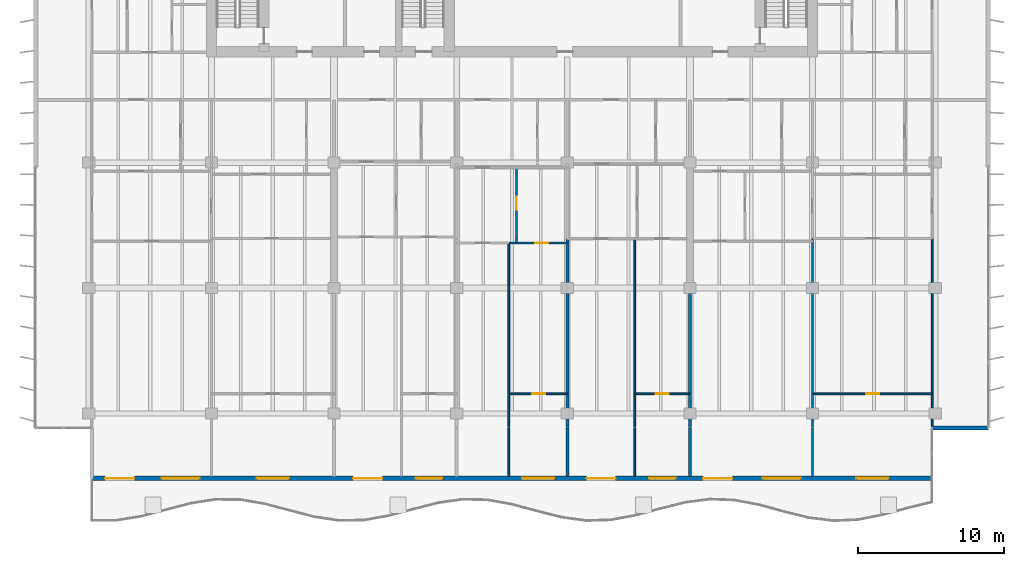
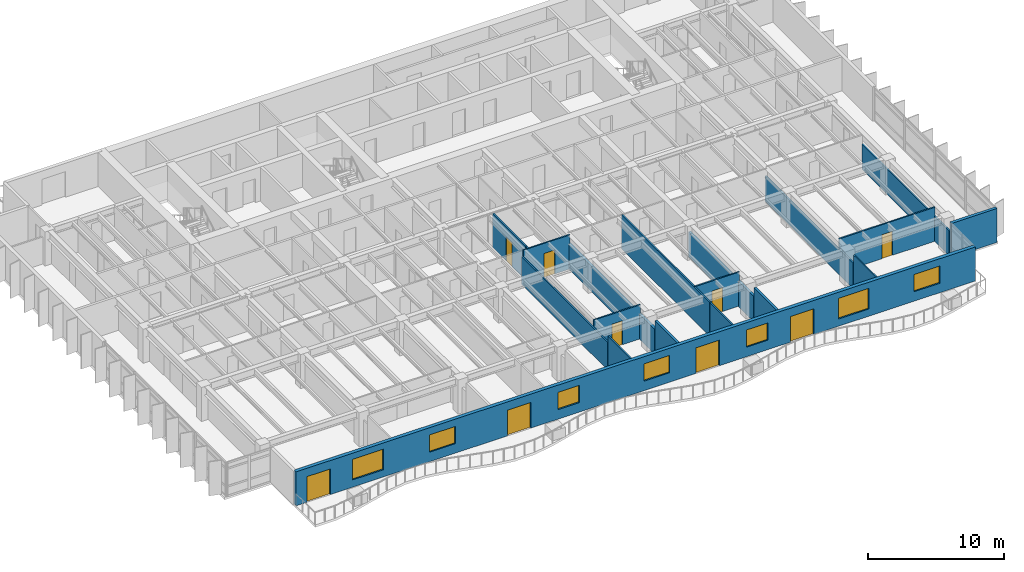
# One storey, part 10 of 19: 19 walls, 9 doors, 7 windows, 16 openings.
"""IFC4 building model written with IfcOpenShell, lengths in metres."""

import ifcopenshell
import ifcopenshell.guid

model = None  # the IFC model being written
_history = None  # IfcOwnerHistory: only IFC2X3 demands one
_inside = {}  # id of a spatial element -> (the spatial element, [elements in it])
_under = {}  # id of a project, library or spatial element -> (it, [spatial elements below it])
_declared = {}  # id of a project -> (the project, [libraries it declares])
_typed = {}  # id of a type object -> (the type object, [elements of that type])
_made_of = {}  # id of a material, layer set ... -> (it, [elements and type objects made of it])


def new_model(schema):
    """Start an empty IFC model of exactly this schema.

    Asked for "IFC4X3", IfcOpenShell would pick the latest addendum, in which some entities
    have other attributes; the version numbers below select the first issue.
    IFC2X3 requires an IfcOwnerHistory on every rooted entity: one is made here for all.
    """
    global model, _history
    if schema == "IFC4X3":
        model = ifcopenshell.file(schema_version=(4, 3, 0, 0))
    else:
        model = ifcopenshell.file(schema=schema)
    _inside.clear()
    _under.clear()
    _declared.clear()
    _typed.clear()
    _made_of.clear()
    _history = None
    if model.schema == "IFC2X3":
        org = make("IfcOrganization", Name="unknown")
        user = make(
            "IfcPersonAndOrganization",
            ThePerson=make("IfcPerson", FamilyName="unknown"),
            TheOrganization=org,
        )
        app = make(
            "IfcApplication",
            ApplicationDeveloper=org,
            Version="unknown",
            ApplicationFullName="unknown",
            ApplicationIdentifier="unknown",
        )
        _history = make(
            "IfcOwnerHistory",
            OwningUser=user,
            OwningApplication=app,
            ChangeAction="ADDED",
            CreationDate=0,
        )
    return model


def make(cls, **values):
    """One entity of the class cls with the attributes given. An attribute that is None is left unset."""
    return model.create_entity(
        cls, **{name: value for name, value in values.items() if value is not None}
    )


def rooted(cls, **values):
    """An entity with a GlobalId (a new one), such as an element, a storey or a relation."""
    return make(cls, GlobalId=ifcopenshell.guid.new(), OwnerHistory=_history, **values)


def si_unit(unit_type, name, prefix=None):
    """IfcSIUnit, for example si_unit("LENGTHUNIT", "METRE", prefix="MILLI")."""
    return make("IfcSIUnit", UnitType=unit_type, Prefix=prefix, Name=name)


def assignment(units):
    """IfcUnitAssignment: the units of a project."""
    return None if units is None else make("IfcUnitAssignment", Units=units)


def point(xyz):
    """IfcCartesianPoint."""
    return None if xyz is None else make("IfcCartesianPoint", Coordinates=xyz)


def direction(xyz):
    """IfcDirection."""
    return None if xyz is None else make("IfcDirection", DirectionRatios=xyz)


def frame(location, z_axis=None, x_axis=None):
    """IfcAxis2Placement3D, a coordinate frame: its origin and axes. An axis left out is left unset."""
    return make(
        "IfcAxis2Placement3D",
        Location=point(location),
        Axis=direction(z_axis),
        RefDirection=direction(x_axis),
    )


def frame_2d(location, x_axis=None):
    """IfcAxis2Placement2D, a coordinate frame in the plane: its origin and x axis."""
    return make(
        "IfcAxis2Placement2D", Location=point(location), RefDirection=direction(x_axis)
    )


def origin():
    """The frame at (0, 0, 0) with its axes left unset."""
    return frame((0.0, 0.0, 0.0))


def place(relative_to, where):
    """IfcLocalPlacement: puts the frame where relative to a parent placement (None: the world)."""
    return make(
        "IfcLocalPlacement", PlacementRelTo=relative_to, RelativePlacement=where
    )


def context(
    kind, dimensions, precision=None, world=None, true_north=None, identifier=None
):
    """IfcGeometricRepresentationContext, for example the 3D "Model" context."""
    return make(
        "IfcGeometricRepresentationContext",
        ContextIdentifier=identifier,
        ContextType=kind,
        CoordinateSpaceDimension=dimensions,
        Precision=precision,
        WorldCoordinateSystem=world,
        TrueNorth=true_north,
    )


def subcontext(parent, identifier, kind, view, scale=None):
    """IfcGeometricRepresentationSubContext, for example "Body" below "Model"."""
    return make(
        "IfcGeometricRepresentationSubContext",
        ContextIdentifier=identifier,
        ContextType=kind,
        ParentContext=parent,
        TargetScale=scale,
        TargetView=view,
    )


def project(units=None, contexts=None):
    """IfcProject with its units and contexts."""
    return rooted(
        "IfcProject",
        Name="project",
        RepresentationContexts=contexts,
        UnitsInContext=assignment(units),
    )


def spatial(cls, under=None, at=None, **own):
    """A site, building, storey or space (cls), placed at a placement, below another one or the project."""
    s = rooted(cls, ObjectPlacement=at, **own)
    if under is not None:
        _under.setdefault(under.id(), (under, []))[1].append(s)
    return s


def profile(cls, at=None, kind="AREA", **sizes):
    """A parametric profile (cls). Its sizes go by their IFC names, for example OverallWidth=200.0."""
    return make(cls, ProfileType=kind, Position=at, **sizes)


def rectangle(**sizes):
    """IfcRectangleProfileDef."""
    return profile("IfcRectangleProfileDef", **sizes)


def extrude(swept, where, along, depth):
    """IfcExtrudedAreaSolid: the profile swept, set in the frame where, extruded along a direction by depth."""
    return make(
        "IfcExtrudedAreaSolid",
        SweptArea=swept,
        Position=where,
        ExtrudedDirection=direction(along),
        Depth=depth,
    )


def shape(context_of_items, identifier, shape_type, items):
    """IfcShapeRepresentation: the items that make up one representation, for example the "Body"."""
    return make(
        "IfcShapeRepresentation",
        ContextOfItems=context_of_items,
        RepresentationIdentifier=identifier,
        RepresentationType=shape_type,
        Items=items,
    )


def material(Name=None, Category=None):
    """IfcMaterial."""
    return make("IfcMaterial", Name=Name, Category=Category)


def layer(
    of_material, thickness, ventilated=None, Name=None, Category=None, Priority=None
):
    """IfcMaterialLayer: one layer of a wall or slab, of a material (None: an air gap)."""
    return make(
        "IfcMaterialLayer",
        Material=of_material,
        LayerThickness=thickness,
        IsVentilated=ventilated,
        Name=Name,
        Category=Category,
        Priority=Priority,
    )


def layer_set(layers, Name=None):
    """IfcMaterialLayerSet."""
    return make("IfcMaterialLayerSet", MaterialLayers=layers, LayerSetName=Name)


def made_of(thing, what):
    """Note that an element or type object is made of a material, layer set ...; save() writes the relation."""
    if what is not None:
        _made_of.setdefault(what.id(), (what, []))[1].append(thing)
    return thing


def type_object(cls, material=None, **own):
    """A type object (cls), such as IfcWallType, which elements share."""
    return made_of(rooted(cls, **own), material)


def element(
    cls,
    number,
    at=None,
    inside=None,
    cuts=None,
    type_object=None,
    material=None,
    context=None,
    identifier="Body",
    shape_type=None,
    held_by="IfcProductDefinitionShape",
    body=None,
    shapes=None,
    **own,
):
    """One element of the class cls, such as IfcWall. Its Tag is "e" and its number.

    at: its placement. inside: the storey or other place that contains it. cuts: it is an
    opening in that element (IfcRelVoidsElement). A single representation is given by context,
    identifier, shape_type and body (its items); several are given by shapes. held_by: the class
    of the entity that holds the representations. save() writes the other relations.
    """
    e = rooted(cls, Tag="e%d" % number, ObjectPlacement=at, **own)
    if body is not None:
        shapes = [shape(context, identifier, shape_type, body)]
    if shapes is not None:
        e.Representation = make(held_by, Representations=shapes)
    if inside is not None:
        _inside.setdefault(inside.id(), (inside, []))[1].append(e)
    if cuts is not None:
        rooted(
            "IfcRelVoidsElement", RelatingBuildingElement=cuts, RelatedOpeningElement=e
        )
    if type_object is not None:
        _typed.setdefault(type_object.id(), (type_object, []))[1].append(e)
    return made_of(e, material)


def fill(opening, filler):
    """IfcRelFillsElement: the door or window that sits in an opening."""
    return rooted(
        "IfcRelFillsElement",
        RelatingOpeningElement=opening,
        RelatedBuildingElement=filler,
    )


def aggregate(whole, parts):
    """IfcRelAggregates: a whole, such as a stair, and the parts it consists of."""
    return rooted("IfcRelAggregates", RelatingObject=whole, RelatedObjects=parts)


def save(model, path):
    """Write the relations noted so far, then the file.

    IfcRelAggregates (storeys below a building ...), IfcRelContainedInSpatialStructure (elements
    in a storey), IfcRelDefinesByType, IfcRelAssociatesMaterial and IfcRelDeclares: one each for
    every whole, place, type object, material and project.
    """
    for whole, parts in _under.values():
        aggregate(whole, parts)
    for where, things in _inside.values():
        rooted(
            "IfcRelContainedInSpatialStructure",
            RelatedElements=things,
            RelatingStructure=where,
        )
    for kind, things in _typed.values():
        rooted("IfcRelDefinesByType", RelatedObjects=things, RelatingType=kind)
    for what, things in _made_of.values():
        rooted("IfcRelAssociatesMaterial", RelatedObjects=things, RelatingMaterial=what)
    for by, libraries in _declared.values():
        rooted("IfcRelDeclares", RelatingContext=by, RelatedDefinitions=libraries)
    model.write(path)


model = new_model("IFC4")

# Units and contexts
model_context = context("Model", 3, precision=1e-05, world=origin(), true_north=direction((0.0, 1.0)))
body_context = subcontext(model_context, "Body", "Model", "MODEL_VIEW")
ifc_project = project(units=[si_unit("LENGTHUNIT", "METRE"), si_unit("AREAUNIT", "SQUARE_METRE"), si_unit("VOLUMEUNIT", "CUBIC_METRE"), si_unit("PLANEANGLEUNIT", "RADIAN"), si_unit("MASSUNIT", "GRAM", prefix="KILO")], contexts=[model_context])

# Site, building, storey
site_placement = place(None, origin())
site = spatial("IfcSite", under=ifc_project, at=site_placement, CompositionType="ELEMENT")
building_placement = place(site_placement, origin())
building = spatial("IfcBuilding", under=site, at=building_placement, Name="Caelmar Bay Residences", CompositionType="ELEMENT")
storey_placement = place(building_placement, frame((0.0, 0.0, 163.800048828125)))
storey = spatial("IfcBuildingStorey", under=building, at=storey_placement, Name="L45", CompositionType="ELEMENT", Elevation=163.800048828125)

# Wall
ifc_material_1 = material(Name="Precast concrete f'c 40 MPa (6,000 psi)", Category="concrete")
ifc_layer_1 = layer(ifc_material_1, 0.25)
ifc_layer_set_1 = layer_set([ifc_layer_1], Name="Precast concrete f'c 40 MPa (6,000 psi)")
wall_type_1 = type_object("IfcWallType", Name="W-EXT-250", PredefinedType="ELEMENTEDWALL", material=ifc_layer_set_1)
wall_1_placement = place(storey_placement, frame((67.699951171875, 11.199951171875, 0.0), z_axis=(0.0, 0.0, 1.0), x_axis=(1.0, 0.0, 0.0)))
element("IfcWall", 1, at=wall_1_placement, inside=storey, type_object=wall_type_1, Name="L45 SE Notch Return Wall", PredefinedType="ELEMENTEDWALL", context=body_context, shape_type="SweptSolid", body=[
    extrude(rectangle(XDim=3.85009765625, YDim=0.25, at=frame_2d((1.925048828125, 0.0))), origin(), (0.0, 0.0, 1.0), 3.050048828125),
])

# Wall, openings, doors, windows
ifc_layer_2 = layer(ifc_material_1, 0.300048828125)
ifc_layer_set_2 = layer_set([ifc_layer_2], Name="Precast concrete f'c 40 MPa (6,000 psi)")
wall_type_2 = type_object("IfcWallType", Name="W-EXT-300", PredefinedType="STANDARD", material=ifc_layer_set_2)
wall_2_placement = place(storey_placement, frame((67.699951171875, 7.75, 0.0), z_axis=(0.0, 0.0, 1.0), x_axis=(-1.0, 0.0, 0.0)))
wall_2 = element("IfcWall", 2, at=wall_2_placement, inside=storey, type_object=wall_type_2, Name="L45 South Bayfront Exterior Wall", PredefinedType="STANDARD", context=body_context, shape_type="SweptSolid", body=[
    extrude(rectangle(XDim=57.599853515625, YDim=0.300048828125, at=frame_2d((28.7998046875, 0.0))), origin(), (0.0, 0.0, 1.0), 3.050048828125),
])
opening_1_placement = place(wall_2_placement, frame((54.68994140625, 0.0, 0.0)))
opening_1 = element("IfcOpeningElement", 3, at=opening_1_placement, cuts=wall_2, Name="Opening L45-BD01", PredefinedType="OPENING", context=body_context, shape_type="SweptSolid", body=[
    extrude(rectangle(XDim=2.0, YDim=2.300048828125, at=frame_2d((1.0, 1.14990234375))), frame((0.0, 0.159912109375, 0.0), z_axis=(0.0, -1.0, 0.0), x_axis=(1.0, 0.0, 0.0)), (0.0, 0.0, 1.0), 0.320068359375),
])
opening_2_placement = place(wall_2_placement, frame((50.2099609375, 0.0, 0.64990234375)))
opening_2 = element("IfcOpeningElement", 4, at=opening_2_placement, cuts=wall_2, Name="Opening WN3", PredefinedType="OPENING", context=body_context, shape_type="SweptSolid", body=[
    extrude(rectangle(XDim=2.60009765625, YDim=1.85009765625, at=frame_2d((1.300048828125, 0.925048828125))), frame((0.0, 0.159912109375, 0.0), z_axis=(0.0, -1.0, 0.0), x_axis=(1.0, 0.0, 0.0)), (0.0, 0.0, 1.0), 0.320068359375),
])
opening_3_placement = place(wall_2_placement, frame((44.10009765625, 0.0, 0.85009765625)))
opening_3 = element("IfcOpeningElement", 5, at=opening_3_placement, cuts=wall_2, Name="Opening WN2", PredefinedType="OPENING", context=body_context, shape_type="SweptSolid", body=[
    extrude(rectangle(XDim=2.199951171875, YDim=1.550048828125, at=frame_2d((1.10009765625, 0.77490234375))), frame((0.0, 0.159912109375, 0.0), z_axis=(0.0, -1.0, 0.0), x_axis=(1.0, 0.0, 0.0)), (0.0, 0.0, 1.0), 0.320068359375),
])
opening_4_placement = place(wall_2_placement, frame((37.68994140625, 0.0, 0.0)))
opening_4 = element("IfcOpeningElement", 6, at=opening_4_placement, cuts=wall_2, Name="Opening L45-BD02", PredefinedType="OPENING", context=body_context, shape_type="SweptSolid", body=[
    extrude(rectangle(XDim=2.0, YDim=2.300048828125, at=frame_2d((1.0, 1.14990234375))), frame((0.0, 0.159912109375, 0.0), z_axis=(0.0, -1.0, 0.0), x_axis=(1.0, 0.0, 0.0)), (0.0, 0.0, 1.0), 0.320068359375),
])
opening_5_placement = place(wall_2_placement, frame((33.590087890625, 0.0, 0.85009765625)))
opening_5 = element("IfcOpeningElement", 7, at=opening_5_placement, cuts=wall_2, Name="Opening WN1", PredefinedType="OPENING", context=body_context, shape_type="SweptSolid", body=[
    extrude(rectangle(XDim=1.800048828125, YDim=1.550048828125, at=frame_2d((0.89990234375, 0.77490234375))), frame((0.0, 0.159912109375, 0.0), z_axis=(0.0, -1.0, 0.0), x_axis=(1.0, 0.0, 0.0)), (0.0, 0.0, 1.0), 0.320068359375),
])
opening_6_placement = place(wall_2_placement, frame((25.9140625, 0.0, 0.85009765625)))
opening_6 = element("IfcOpeningElement", 8, at=opening_6_placement, cuts=wall_2, Name="Opening WN2", PredefinedType="OPENING", context=body_context, shape_type="SweptSolid", body=[
    extrude(rectangle(XDim=2.199951171875, YDim=1.550048828125, at=frame_2d((1.10009765625, 0.77490234375))), frame((0.0, 0.159912109375, 0.0), z_axis=(0.0, -1.0, 0.0), x_axis=(1.0, 0.0, 0.0)), (0.0, 0.0, 1.0), 0.320068359375),
])
opening_7_placement = place(wall_2_placement, frame((21.68994140625, 0.0, 0.0)))
opening_7 = element("IfcOpeningElement", 9, at=opening_7_placement, cuts=wall_2, Name="Opening L45-BD03", PredefinedType="OPENING", context=body_context, shape_type="SweptSolid", body=[
    extrude(rectangle(XDim=2.0, YDim=2.300048828125, at=frame_2d((1.0, 1.14990234375))), frame((0.0, 0.159912109375, 0.0), z_axis=(0.0, -1.0, 0.0), x_axis=(1.0, 0.0, 0.0)), (0.0, 0.0, 1.0), 0.320068359375),
])
opening_8_placement = place(wall_2_placement, frame((17.590087890625, 0.0, 0.85009765625)))
opening_8 = element("IfcOpeningElement", 10, at=opening_8_placement, cuts=wall_2, Name="Opening WN1", PredefinedType="OPENING", context=body_context, shape_type="SweptSolid", body=[
    extrude(rectangle(XDim=1.800048828125, YDim=1.550048828125, at=frame_2d((0.89990234375, 0.77490234375))), frame((0.0, 0.159912109375, 0.0), z_axis=(0.0, -1.0, 0.0), x_axis=(1.0, 0.0, 0.0)), (0.0, 0.0, 1.0), 0.320068359375),
])
opening_9_placement = place(wall_2_placement, frame((13.68994140625, 0.0, 0.0)))
opening_9 = element("IfcOpeningElement", 11, at=opening_9_placement, cuts=wall_2, Name="Opening L45-BD04", PredefinedType="OPENING", context=body_context, shape_type="SweptSolid", body=[
    extrude(rectangle(XDim=2.0, YDim=2.300048828125, at=frame_2d((1.0, 1.14990234375))), frame((0.0, 0.159912109375, 0.0), z_axis=(0.0, -1.0, 0.0), x_axis=(1.0, 0.0, 0.0)), (0.0, 0.0, 1.0), 0.320068359375),
])
opening_10_placement = place(wall_2_placement, frame((9.010009765625, 0.0, 0.64990234375)))
opening_10 = element("IfcOpeningElement", 12, at=opening_10_placement, cuts=wall_2, Name="Opening WN3", PredefinedType="OPENING", context=body_context, shape_type="SweptSolid", body=[
    extrude(rectangle(XDim=2.60009765625, YDim=1.85009765625, at=frame_2d((1.300048828125, 0.925048828125))), frame((0.0, 0.159912109375, 0.0), z_axis=(0.0, -1.0, 0.0), x_axis=(1.0, 0.0, 0.0)), (0.0, 0.0, 1.0), 0.320068359375),
])
opening_11_placement = place(wall_2_placement, frame((3.0, 0.0, 0.85009765625)))
opening_11 = element("IfcOpeningElement", 13, at=opening_11_placement, cuts=wall_2, Name="Opening WN2", PredefinedType="OPENING", context=body_context, shape_type="SweptSolid", body=[
    extrude(rectangle(XDim=2.199951171875, YDim=1.550048828125, at=frame_2d((1.10009765625, 0.77490234375))), frame((0.0, 0.159912109375, 0.0), z_axis=(0.0, -1.0, 0.0), x_axis=(1.0, 0.0, 0.0)), (0.0, 0.0, 1.0), 0.320068359375),
])
ifc_material_2 = material(Name="Anodised bronze thermally broken sliding glass door", Category="glass")
ifc_layer_3 = layer(ifc_material_2, 0.050048828125)
ifc_layer_set_3 = layer_set([ifc_layer_3], Name="Anodised bronze thermally broken sliding glass door")
door_type_1 = type_object("IfcDoorType", Name="D-BAL-2000", OperationType="DOUBLE_DOOR_SLIDING", PredefinedType="DOOR", material=ifc_layer_set_3)
door_1_placement = place(opening_1_placement, origin())
door_1 = element("IfcDoor", 14, at=door_1_placement, inside=storey, type_object=door_type_1, Name="L45 Residence 01 Penthouse Living Salon Balcony Door", OperationType="DOUBLE_DOOR_SLIDING", OverallHeight=2.300048828125, OverallWidth=2.0, PredefinedType="DOOR", context=body_context, shape_type="SweptSolid", body=[
    extrude(rectangle(XDim=2.0, YDim=2.300048828125, at=frame_2d((1.0, 1.14990234375))), frame((0.0, 0.02490234375, 0.0), z_axis=(0.0, -1.0, 0.0), x_axis=(1.0, 0.0, 0.0)), (0.0, 0.0, 1.0), 0.050048828125),
])
fill(opening_1, door_1)
door_2_placement = place(opening_4_placement, origin())
door_2 = element("IfcDoor", 15, at=door_2_placement, inside=storey, type_object=door_type_1, Name="L45 Residence 02 Penthouse Living Salon Balcony Door", OperationType="DOUBLE_DOOR_SLIDING", OverallHeight=2.300048828125, OverallWidth=2.0, PredefinedType="DOOR", context=body_context, shape_type="SweptSolid", body=[
    extrude(rectangle(XDim=2.0, YDim=2.300048828125, at=frame_2d((1.0, 1.14990234375))), frame((0.0, 0.02490234375, 0.0), z_axis=(0.0, -1.0, 0.0), x_axis=(1.0, 0.0, 0.0)), (0.0, 0.0, 1.0), 0.050048828125),
])
fill(opening_4, door_2)
door_3_placement = place(opening_7_placement, origin())
door_3 = element("IfcDoor", 16, at=door_3_placement, inside=storey, type_object=door_type_1, Name="L45 Residence 04 Living Room Balcony Door", OperationType="DOUBLE_DOOR_SLIDING", OverallHeight=2.300048828125, OverallWidth=2.0, PredefinedType="DOOR", context=body_context, shape_type="SweptSolid", body=[
    extrude(rectangle(XDim=2.0, YDim=2.300048828125, at=frame_2d((1.0, 1.14990234375))), frame((0.0, 0.02490234375, 0.0), z_axis=(0.0, -1.0, 0.0), x_axis=(1.0, 0.0, 0.0)), (0.0, 0.0, 1.0), 0.050048828125),
])
fill(opening_7, door_3)
door_4_placement = place(opening_9_placement, origin())
door_4 = element("IfcDoor", 17, at=door_4_placement, inside=storey, type_object=door_type_1, Name="L45 Residence 05 Penthouse Living Salon Balcony Door", OperationType="DOUBLE_DOOR_SLIDING", OverallHeight=2.300048828125, OverallWidth=2.0, PredefinedType="DOOR", context=body_context, shape_type="SweptSolid", body=[
    extrude(rectangle(XDim=2.0, YDim=2.300048828125, at=frame_2d((1.0, 1.14990234375))), frame((0.0, 0.02490234375, 0.0), z_axis=(0.0, -1.0, 0.0), x_axis=(1.0, 0.0, 0.0)), (0.0, 0.0, 1.0), 0.050048828125),
])
fill(opening_9, door_4)
ifc_material_3 = material(Name="Bronze aluminium frame with laminated low-E glass", Category="aluminium")
ifc_layer_4 = layer(ifc_material_3, 0.06005859375)
ifc_layer_set_4 = layer_set([ifc_layer_4], Name="Bronze aluminium frame with laminated low-E glass")
window_type_1 = type_object("IfcWindowType", Name="WIN-BR-1800", PartitioningType="SINGLE_PANEL", PredefinedType="WINDOW", material=ifc_layer_set_4)
window_1_placement = place(opening_5_placement, origin())
window_1 = element("IfcWindow", 18, at=window_1_placement, inside=storey, type_object=window_type_1, Name="L45 Residence 02 Primary Bedroom Window", OverallHeight=1.550048828125, OverallWidth=1.800048828125, PartitioningType="SINGLE_PANEL", PredefinedType="WINDOW", context=body_context, shape_type="SweptSolid", body=[
    extrude(rectangle(XDim=1.800048828125, YDim=1.550048828125, at=frame_2d((0.89990234375, 0.77490234375))), frame((0.0, 0.030029296875, 0.0), z_axis=(0.0, -1.0, 0.0), x_axis=(1.0, 0.0, 0.0)), (0.0, 0.0, 1.0), 0.06005859375),
])
fill(opening_5, window_1)
window_2_placement = place(opening_8_placement, origin())
window_2 = element("IfcWindow", 19, at=window_2_placement, inside=storey, type_object=window_type_1, Name="L45 Residence 04 Primary Bedroom Window", OverallHeight=1.550048828125, OverallWidth=1.800048828125, PartitioningType="SINGLE_PANEL", PredefinedType="WINDOW", context=body_context, shape_type="SweptSolid", body=[
    extrude(rectangle(XDim=1.800048828125, YDim=1.550048828125, at=frame_2d((0.89990234375, 0.77490234375))), frame((0.0, 0.030029296875, 0.0), z_axis=(0.0, -1.0, 0.0), x_axis=(1.0, 0.0, 0.0)), (0.0, 0.0, 1.0), 0.06005859375),
])
fill(opening_8, window_2)
ifc_layer_5 = layer(ifc_material_3, 0.06005859375)
ifc_layer_set_5 = layer_set([ifc_layer_5], Name="Bronze aluminium frame with laminated low-E glass")
window_type_2 = type_object("IfcWindowType", Name="WIN-BR-2200", PartitioningType="SINGLE_PANEL", PredefinedType="WINDOW", material=ifc_layer_set_5)
window_3_placement = place(opening_3_placement, origin())
window_3 = element("IfcWindow", 20, at=window_3_placement, inside=storey, type_object=window_type_2, Name="L45 Residence 01 Primary Bedroom 1 Window", OverallHeight=1.550048828125, OverallWidth=2.199951171875, PartitioningType="SINGLE_PANEL", PredefinedType="WINDOW", context=body_context, shape_type="SweptSolid", body=[
    extrude(rectangle(XDim=2.199951171875, YDim=1.550048828125, at=frame_2d((1.10009765625, 0.77490234375))), frame((0.0, 0.030029296875, 0.0), z_axis=(0.0, -1.0, 0.0), x_axis=(1.0, 0.0, 0.0)), (0.0, 0.0, 1.0), 0.06005859375),
])
fill(opening_3, window_3)
window_4_placement = place(opening_6_placement, origin())
window_4 = element("IfcWindow", 21, at=window_4_placement, inside=storey, type_object=window_type_2, Name="L45 Residence 03 Primary Bedroom Window", OverallHeight=1.550048828125, OverallWidth=2.199951171875, PartitioningType="SINGLE_PANEL", PredefinedType="WINDOW", context=body_context, shape_type="SweptSolid", body=[
    extrude(rectangle(XDim=2.199951171875, YDim=1.550048828125, at=frame_2d((1.10009765625, 0.77490234375))), frame((0.0, 0.030029296875, 0.0), z_axis=(0.0, -1.0, 0.0), x_axis=(1.0, 0.0, 0.0)), (0.0, 0.0, 1.0), 0.06005859375),
])
fill(opening_6, window_4)
window_5_placement = place(opening_11_placement, origin())
window_5 = element("IfcWindow", 22, at=window_5_placement, inside=storey, type_object=window_type_2, Name="L45 Residence 05 Primary Bedroom 1 Window", OverallHeight=1.550048828125, OverallWidth=2.199951171875, PartitioningType="SINGLE_PANEL", PredefinedType="WINDOW", context=body_context, shape_type="SweptSolid", body=[
    extrude(rectangle(XDim=2.199951171875, YDim=1.550048828125, at=frame_2d((1.10009765625, 0.77490234375))), frame((0.0, 0.030029296875, 0.0), z_axis=(0.0, -1.0, 0.0), x_axis=(1.0, 0.0, 0.0)), (0.0, 0.0, 1.0), 0.06005859375),
])
fill(opening_11, window_5)
ifc_layer_6 = layer(ifc_material_3, 0.06005859375)
ifc_layer_set_6 = layer_set([ifc_layer_6], Name="Bronze aluminium frame with laminated low-E glass")
window_type_3 = type_object("IfcWindowType", Name="WIN-LIV-2600", PartitioningType="SINGLE_PANEL", PredefinedType="WINDOW", material=ifc_layer_set_6)
window_6_placement = place(opening_2_placement, origin())
window_6 = element("IfcWindow", 23, at=window_6_placement, inside=storey, type_object=window_type_3, Name="L45 Residence 01 Penthouse Living Salon Panoramic Window", OverallHeight=1.85009765625, OverallWidth=2.60009765625, PartitioningType="SINGLE_PANEL", PredefinedType="WINDOW", context=body_context, shape_type="SweptSolid", body=[
    extrude(rectangle(XDim=2.60009765625, YDim=1.85009765625, at=frame_2d((1.300048828125, 0.925048828125))), frame((0.0, 0.030029296875, 0.0), z_axis=(0.0, -1.0, 0.0), x_axis=(1.0, 0.0, 0.0)), (0.0, 0.0, 1.0), 0.06005859375),
])
fill(opening_2, window_6)
window_7_placement = place(opening_10_placement, origin())
window_7 = element("IfcWindow", 24, at=window_7_placement, inside=storey, type_object=window_type_3, Name="L45 Residence 05 Penthouse Living Salon Panoramic Window", OverallHeight=1.85009765625, OverallWidth=2.60009765625, PartitioningType="SINGLE_PANEL", PredefinedType="WINDOW", context=body_context, shape_type="SweptSolid", body=[
    extrude(rectangle(XDim=2.60009765625, YDim=1.85009765625, at=frame_2d((1.300048828125, 0.925048828125))), frame((0.0, 0.030029296875, 0.0), z_axis=(0.0, -1.0, 0.0), x_axis=(1.0, 0.0, 0.0)), (0.0, 0.0, 1.0), 0.06005859375),
])
fill(opening_10, window_7)

# Walls
ifc_material_4 = material(Name="Acoustic metal-stud gypsum partition 120 mm")
ifc_layer_7 = layer(ifc_material_4, 0.1201171875)
ifc_layer_set_7 = layer_set([ifc_layer_7], Name="Acoustic metal-stud gypsum partition 120 mm")
wall_type_3 = type_object("IfcWallType", Name="W-PRT-120", PredefinedType="PARTITIONING", material=ifc_layer_set_7)
wall_3_placement = place(storey_placement, frame((38.672119140625, 7.89501953125, 0.0), z_axis=(0.0, 0.0, 1.0), x_axis=(0.0, 1.0, 0.0)))
element("IfcWall", 25, at=wall_3_placement, inside=storey, type_object=wall_type_3, Name="L45 Partition Wall V040", PredefinedType="PARTITIONING", context=body_context, shape_type="SweptSolid", body=[
    extrude(rectangle(XDim=3.304931640625, YDim=0.1201171875, at=frame_2d((1.65234375, 0.0))), origin(), (0.0, 0.0, 1.0), 3.050048828125),
])
wall_4_placement = place(storey_placement, frame((38.672119140625, 11.239990234375, 0.0), z_axis=(0.0, 0.0, 1.0), x_axis=(0.0, 1.0, 0.0)))
element("IfcWall", 26, at=wall_4_placement, inside=storey, type_object=wall_type_3, Name="L45 Partition Wall V041", PredefinedType="PARTITIONING", context=body_context, shape_type="SweptSolid", body=[
    extrude(rectangle(XDim=12.64990234375, YDim=0.1201171875, at=frame_2d((6.324951171875, 0.0))), origin(), (0.0, 0.0, 1.0), 2.4990234375),
])
wall_5_placement = place(storey_placement, frame((39.2041015625, 23.889892578125, 0.0), z_axis=(0.0, 0.0, 1.0), x_axis=(0.0, 1.0, 0.0)))
element("IfcWall", 27, at=wall_5_placement, inside=storey, type_object=wall_type_3, Name="L45 Partition Wall V043", PredefinedType="PARTITIONING", context=body_context, shape_type="SweptSolid", body=[
    extrude(rectangle(XDim=0.280029296875, YDim=0.1201171875, at=frame_2d((0.14013671875, 0.0))), origin(), (0.0, 0.0, 1.0), 3.050048828125),
])

# Wall, opening, door
wall_6_placement = place(storey_placement, frame((39.2041015625, 24.199951171875, 0.0), z_axis=(0.0, 0.0, 1.0), x_axis=(0.0, 1.0, 0.0)))
wall_6 = element("IfcWall", 28, at=wall_6_placement, inside=storey, type_object=wall_type_3, Name="L45 Partition Wall V044", PredefinedType="PARTITIONING", context=body_context, shape_type="SweptSolid", body=[
    extrude(rectangle(XDim=4.840087890625, YDim=0.1201171875, at=frame_2d((2.419921875, 0.0))), origin(), (0.0, 0.0, 1.0), 3.050048828125),
])
opening_12_placement = place(wall_6_placement, frame((1.969970703125, 0.0, 0.0)))
opening_12 = element("IfcOpeningElement", 29, at=opening_12_placement, cuts=wall_6, Name="Opening D-L45-141", PredefinedType="OPENING", context=body_context, shape_type="SweptSolid", body=[
    extrude(rectangle(XDim=0.89990234375, YDim=2.14990234375, at=frame_2d((0.449951171875, 1.074951171875))), frame((0.0, 0.070068359375, 0.0), z_axis=(0.0, -1.0, 0.0), x_axis=(1.0, 0.0, 0.0)), (0.0, 0.0, 1.0), 0.14013671875),
])
ifc_material_5 = material(Name="Solid walnut timber interior door leaf and frame", Category="wood")
ifc_layer_8 = layer(ifc_material_5, 0.050048828125)
ifc_layer_set_8 = layer_set([ifc_layer_8], Name="Solid walnut timber interior door leaf and frame")
door_type_2 = type_object("IfcDoorType", Name="D-ROOM-900", OperationType="NOTDEFINED", PredefinedType="DOOR", material=ifc_layer_set_8)
door_5_placement = place(opening_12_placement, origin())
door_5 = element("IfcDoor", 30, at=door_5_placement, inside=storey, type_object=door_type_2, Name="L45 Residence 03 Home Office Door", OperationType="SINGLE_SWING_LEFT", OverallHeight=2.14990234375, OverallWidth=0.89990234375, PredefinedType="DOOR", context=body_context, shape_type="SweptSolid", body=[
    extrude(rectangle(XDim=0.89990234375, YDim=2.14990234375, at=frame_2d((0.449951171875, 1.074951171875))), frame((0.0, 0.02490234375, 0.0), z_axis=(0.0, -1.0, 0.0), x_axis=(1.0, 0.0, 0.0)), (0.0, 0.0, 1.0), 0.050048828125),
])
fill(opening_12, door_5)

# Walls
wall_7_placement = place(storey_placement, frame((47.320068359375, 7.89501953125, 0.0), z_axis=(0.0, 0.0, 1.0), x_axis=(0.0, 1.0, 0.0)))
element("IfcWall", 31, at=wall_7_placement, inside=storey, type_object=wall_type_3, Name="L45 Partition Wall V056", PredefinedType="PARTITIONING", context=body_context, shape_type="SweptSolid", body=[
    extrude(rectangle(XDim=3.304931640625, YDim=0.1201171875, at=frame_2d((1.65234375, 0.0))), origin(), (0.0, 0.0, 1.0), 3.050048828125),
])
wall_8_placement = place(storey_placement, frame((47.320068359375, 11.239990234375, 0.0), z_axis=(0.0, 0.0, 1.0), x_axis=(0.0, 1.0, 0.0)))
element("IfcWall", 32, at=wall_8_placement, inside=storey, type_object=wall_type_3, Name="L45 Partition Wall V057", PredefinedType="PARTITIONING", context=body_context, shape_type="SweptSolid", body=[
    extrude(rectangle(XDim=12.929931640625, YDim=0.1201171875, at=frame_2d((6.46484375, 0.0))), origin(), (0.0, 0.0, 1.0), 3.050048828125),
])
wall_9_placement = place(storey_placement, frame((59.5, 7.89501953125, 0.0), z_axis=(0.0, 0.0, 1.0), x_axis=(0.0, 1.0, 0.0)))
element("IfcWall", 33, at=wall_9_placement, inside=storey, type_object=wall_type_3, Name="L45 Partition Wall V075", PredefinedType="PARTITIONING", context=body_context, shape_type="SweptSolid", body=[
    extrude(rectangle(XDim=3.304931640625, YDim=0.1201171875, at=frame_2d((1.65234375, 0.0))), origin(), (0.0, 0.0, 1.0), 3.050048828125),
])
wall_10_placement = place(storey_placement, frame((59.5, 11.239990234375, 0.0), z_axis=(0.0, 0.0, 1.0), x_axis=(0.0, 1.0, 0.0)))
element("IfcWall", 34, at=wall_10_placement, inside=storey, type_object=wall_type_3, Name="L45 Partition Wall V076", PredefinedType="PARTITIONING", context=body_context, shape_type="SweptSolid", body=[
    extrude(rectangle(XDim=12.929931640625, YDim=0.1201171875, at=frame_2d((6.46484375, 0.0))), origin(), (0.0, 0.0, 1.0), 2.262939453125),
])
wall_11_placement = place(storey_placement, frame((67.699951171875, 11.320068359375, 0.0), z_axis=(0.0, 0.0, 1.0), x_axis=(0.0, 1.0, 0.0)))
element("IfcWall", 35, at=wall_11_placement, inside=storey, type_object=wall_type_3, Name="L45 Partition Wall V085", PredefinedType="PARTITIONING", context=body_context, shape_type="SweptSolid", body=[
    extrude(rectangle(XDim=12.849853515625, YDim=0.1201171875, at=frame_2d((6.4248046875, 0.0))), origin(), (0.0, 0.0, 1.0), 2.262939453125),
])

# Wall, opening, door
wall_12_placement = place(storey_placement, frame((38.75, 13.550048828125, 0.0), z_axis=(0.0, 0.0, 1.0), x_axis=(1.0, 0.0, 0.0)))
wall_12 = element("IfcWall", 36, at=wall_12_placement, inside=storey, type_object=wall_type_3, Name="L45 Partition Wall H094", PredefinedType="PARTITIONING", context=body_context, shape_type="SweptSolid", body=[
    extrude(rectangle(XDim=3.949951171875, YDim=0.1201171875, at=frame_2d((1.97509765625, 0.0))), origin(), (0.0, 0.0, 1.0), 3.050048828125),
])
opening_13_placement = place(wall_12_placement, frame((1.52490234375, 0.0, 0.0)))
opening_13 = element("IfcOpeningElement", 37, at=opening_13_placement, cuts=wall_12, Name="Opening D-L45-144", PredefinedType="OPENING", context=body_context, shape_type="SweptSolid", body=[
    extrude(rectangle(XDim=0.89990234375, YDim=2.14990234375, at=frame_2d((0.449951171875, 1.074951171875))), frame((0.0, 0.070068359375, 0.0), z_axis=(0.0, -1.0, 0.0), x_axis=(1.0, 0.0, 0.0)), (0.0, 0.0, 1.0), 0.14013671875),
])
door_6_placement = place(opening_13_placement, origin())
door_6 = element("IfcDoor", 38, at=door_6_placement, inside=storey, type_object=door_type_2, Name="L45 Residence 03 Primary Bedroom Door", OperationType="SINGLE_SWING_RIGHT", OverallHeight=2.14990234375, OverallWidth=0.89990234375, PredefinedType="DOOR", context=body_context, shape_type="SweptSolid", body=[
    extrude(rectangle(XDim=0.89990234375, YDim=2.14990234375, at=frame_2d((0.449951171875, 1.074951171875))), frame((0.0, 0.02490234375, 0.0), z_axis=(0.0, -1.0, 0.0), x_axis=(1.0, 0.0, 0.0)), (0.0, 0.0, 1.0), 0.050048828125),
])
fill(opening_13, door_6)

wall_13_placement = place(storey_placement, frame((47.320068359375, 13.550048828125, 0.0), z_axis=(0.0, 0.0, 1.0), x_axis=(1.0, 0.0, 0.0)))
wall_13 = element("IfcWall", 39, at=wall_13_placement, inside=storey, type_object=wall_type_3, Name="L45 Partition Wall H095", PredefinedType="PARTITIONING", context=body_context, shape_type="SweptSolid", body=[
    extrude(rectangle(XDim=3.780029296875, YDim=0.1201171875, at=frame_2d((1.89013671875, 0.0))), origin(), (0.0, 0.0, 1.0), 3.050048828125),
])
opening_14_placement = place(wall_13_placement, frame((1.43994140625, 0.0, 0.0)))
opening_14 = element("IfcOpeningElement", 40, at=opening_14_placement, cuts=wall_13, Name="Opening D-L45-151", PredefinedType="OPENING", context=body_context, shape_type="SweptSolid", body=[
    extrude(rectangle(XDim=0.89990234375, YDim=2.14990234375, at=frame_2d((0.449951171875, 1.074951171875))), frame((0.0, 0.070068359375, 0.0), z_axis=(0.0, -1.0, 0.0), x_axis=(1.0, 0.0, 0.0)), (0.0, 0.0, 1.0), 0.14013671875),
])
door_7_placement = place(opening_14_placement, origin())
door_7 = element("IfcDoor", 41, at=door_7_placement, inside=storey, type_object=door_type_2, Name="L45 Residence 04 Primary Bedroom Door", OperationType="SINGLE_SWING_LEFT", OverallHeight=2.14990234375, OverallWidth=0.89990234375, PredefinedType="DOOR", context=body_context, shape_type="SweptSolid", body=[
    extrude(rectangle(XDim=0.89990234375, YDim=2.14990234375, at=frame_2d((0.449951171875, 1.074951171875))), frame((0.0, 0.02490234375, 0.0), z_axis=(0.0, -1.0, 0.0), x_axis=(1.0, 0.0, 0.0)), (0.0, 0.0, 1.0), 0.050048828125),
])
fill(opening_14, door_7)

wall_14_placement = place(storey_placement, frame((59.550048828125, 13.550048828125, 0.0), z_axis=(0.0, 0.0, 1.0), x_axis=(1.0, 0.0, 0.0)))
wall_14 = element("IfcWall", 42, at=wall_14_placement, inside=storey, type_object=wall_type_3, Name="L45 Partition Wall H096", PredefinedType="PARTITIONING", context=body_context, shape_type="SweptSolid", body=[
    extrude(rectangle(XDim=8.14990234375, YDim=0.1201171875, at=frame_2d((4.074951171875, 0.0))), origin(), (0.0, 0.0, 1.0), 3.050048828125),
])
opening_15_placement = place(wall_14_placement, frame((3.625, 0.0, 0.0)))
opening_15 = element("IfcOpeningElement", 43, at=opening_15_placement, cuts=wall_14, Name="Opening D-L45-161", PredefinedType="OPENING", context=body_context, shape_type="SweptSolid", body=[
    extrude(rectangle(XDim=0.89990234375, YDim=2.14990234375, at=frame_2d((0.449951171875, 1.074951171875))), frame((0.0, 0.070068359375, 0.0), z_axis=(0.0, -1.0, 0.0), x_axis=(1.0, 0.0, 0.0)), (0.0, 0.0, 1.0), 0.14013671875),
])
door_8_placement = place(opening_15_placement, origin())
door_8 = element("IfcDoor", 44, at=door_8_placement, inside=storey, type_object=door_type_2, Name="L45 Residence 05 Primary Bedroom 1 Door", OperationType="SINGLE_SWING_LEFT", OverallHeight=2.14990234375, OverallWidth=0.89990234375, PredefinedType="DOOR", context=body_context, shape_type="SweptSolid", body=[
    extrude(rectangle(XDim=0.89990234375, YDim=2.14990234375, at=frame_2d((0.449951171875, 1.074951171875))), frame((0.0, 0.02490234375, 0.0), z_axis=(0.0, -1.0, 0.0), x_axis=(1.0, 0.0, 0.0)), (0.0, 0.0, 1.0), 0.050048828125),
])
fill(opening_15, door_8)

wall_15_placement = place(storey_placement, frame((38.75, 23.889892578125, 0.0), z_axis=(0.0, 0.0, 1.0), x_axis=(1.0, 0.0, 0.0)))
wall_15 = element("IfcWall", 45, at=wall_15_placement, inside=storey, type_object=wall_type_3, Name="L45 Partition Wall H098", PredefinedType="PARTITIONING", context=body_context, shape_type="SweptSolid", body=[
    extrude(rectangle(XDim=3.949951171875, YDim=0.1201171875, at=frame_2d((1.97509765625, 0.0))), origin(), (0.0, 0.0, 1.0), 3.050048828125),
])
opening_16_placement = place(wall_15_placement, frame((1.751953125, 0.0, 0.0)))
opening_16 = element("IfcOpeningElement", 46, at=opening_16_placement, cuts=wall_15, Name="Opening D-L45-143", PredefinedType="OPENING", context=body_context, shape_type="SweptSolid", body=[
    extrude(rectangle(XDim=0.89990234375, YDim=2.14990234375, at=frame_2d((0.449951171875, 1.074951171875))), frame((0.0, 0.070068359375, 0.0), z_axis=(0.0, -1.0, 0.0), x_axis=(1.0, 0.0, 0.0)), (0.0, 0.0, 1.0), 0.14013671875),
])
door_9_placement = place(opening_16_placement, origin())
door_9 = element("IfcDoor", 47, at=door_9_placement, inside=storey, type_object=door_type_2, Name="L45 Residence 03 Penthouse Sitting Room Door", OperationType="SINGLE_SWING_LEFT", OverallHeight=2.14990234375, OverallWidth=0.89990234375, PredefinedType="DOOR", context=body_context, shape_type="SweptSolid", body=[
    extrude(rectangle(XDim=0.89990234375, YDim=2.14990234375, at=frame_2d((0.449951171875, 1.074951171875))), frame((0.0, 0.02490234375, 0.0), z_axis=(0.0, -1.0, 0.0), x_axis=(1.0, 0.0, 0.0)), (0.0, 0.0, 1.0), 0.050048828125),
])
fill(opening_16, door_9)

# Walls
ifc_material_6 = material(Name="Acoustic twin-stud fire-rated inter-tenancy partition 200 mm")
ifc_layer_9 = layer(ifc_material_6, 0.199951171875)
ifc_layer_set_9 = layer_set([ifc_layer_9], Name="Acoustic twin-stud fire-rated inter-tenancy partition 200 mm")
wall_type_4 = type_object("IfcWallType", Name="W-PTY-200", PredefinedType="PARTITIONING", material=ifc_layer_set_9)
wall_16_placement = place(storey_placement, frame((42.699951171875, 7.89501953125, 0.0), z_axis=(0.0, 0.0, 1.0), x_axis=(0.0, 1.0, 0.0)))
element("IfcWall", 48, at=wall_16_placement, inside=storey, type_object=wall_type_4, Name="L45 Partition Wall V048", PredefinedType="PARTITIONING", context=body_context, shape_type="SweptSolid", body=[
    extrude(rectangle(XDim=3.304931640625, YDim=0.199951171875, at=frame_2d((1.65234375, 0.0))), origin(), (0.0, 0.0, 1.0), 3.050048828125),
])
wall_17_placement = place(storey_placement, frame((42.699951171875, 11.239990234375, 0.0), z_axis=(0.0, 0.0, 1.0), x_axis=(0.0, 1.0, 0.0)))
element("IfcWall", 49, at=wall_17_placement, inside=storey, type_object=wall_type_4, Name="L45 Partition Wall V049", PredefinedType="PARTITIONING", context=body_context, shape_type="SweptSolid", body=[
    extrude(rectangle(XDim=12.929931640625, YDim=0.199951171875, at=frame_2d((6.46484375, 0.0))), origin(), (0.0, 0.0, 1.0), 2.262939453125),
])
wall_18_placement = place(storey_placement, frame((51.10009765625, 7.89501953125, 0.0), z_axis=(0.0, 0.0, 1.0), x_axis=(0.0, 1.0, 0.0)))
element("IfcWall", 50, at=wall_18_placement, inside=storey, type_object=wall_type_4, Name="L45 Partition Wall V065", PredefinedType="PARTITIONING", context=body_context, shape_type="SweptSolid", body=[
    extrude(rectangle(XDim=3.304931640625, YDim=0.199951171875, at=frame_2d((1.65234375, 0.0))), origin(), (0.0, 0.0, 1.0), 3.050048828125),
])
wall_19_placement = place(storey_placement, frame((51.10009765625, 11.239990234375, 0.0), z_axis=(0.0, 0.0, 1.0), x_axis=(0.0, 1.0, 0.0)))
element("IfcWall", 51, at=wall_19_placement, inside=storey, type_object=wall_type_4, Name="L45 Partition Wall V066", PredefinedType="PARTITIONING", context=body_context, shape_type="SweptSolid", body=[
    extrude(rectangle(XDim=9.554931640625, YDim=0.199951171875, at=frame_2d((4.77734375, 0.0))), origin(), (0.0, 0.0, 1.0), 2.262939453125),
])

save(model, "model.ifc")
